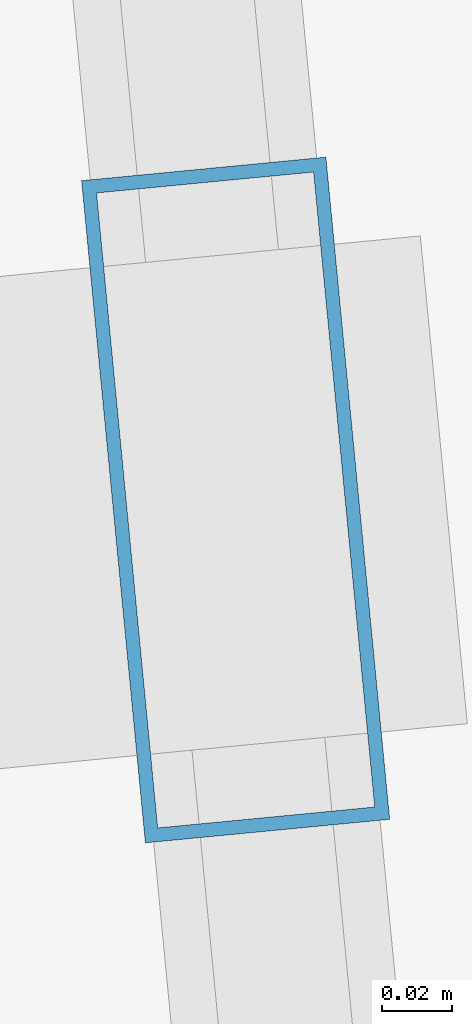
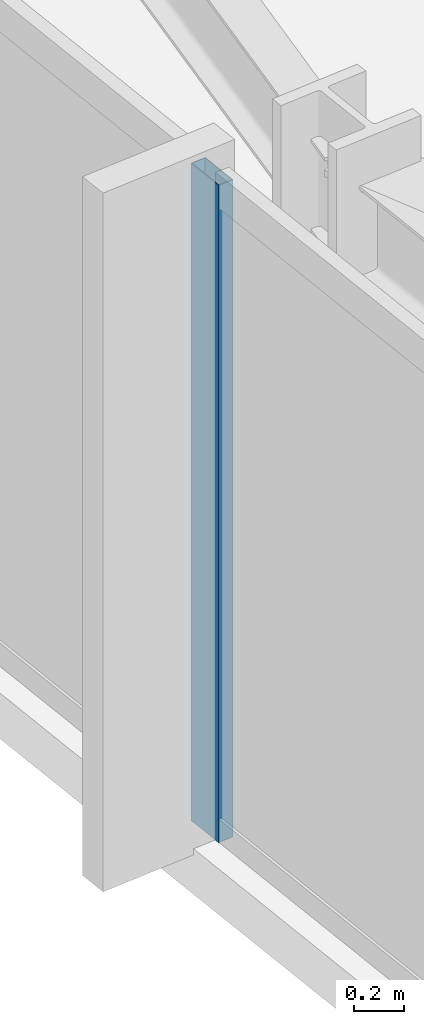
# One storey, part 8 of 32: 1 member, 1 element without a shape of its own.
"""IFC4 building model written with IfcOpenShell, lengths in metres."""

from ifc_helpers import new_model, si_unit, direction, frame, origin, origin_2d, place, context, subcontext, project, spatial, hollow_rectangle, extrude, material, material_profile, profile_set, type_object, element, aggregate, save


model = new_model("IFC4")

# Units and contexts
model_context = context("Model", 3, precision=1e-05, world=origin(), true_north=direction((0.0, 1.0)))
body_context = subcontext(model_context, "Body", "Model", "MODEL_VIEW")
ifc_project = project(units=[si_unit("LENGTHUNIT", "METRE"), si_unit("AREAUNIT", "SQUARE_METRE"), si_unit("VOLUMEUNIT", "CUBIC_METRE"), si_unit("PLANEANGLEUNIT", "RADIAN"), si_unit("MASSUNIT", "GRAM", prefix="KILO")], contexts=[model_context])

# Site, building, storey
site_placement = place(None, origin())
site = spatial("IfcSite", under=ifc_project, at=site_placement, CompositionType="ELEMENT")
building_placement = place(site_placement, origin())
building = spatial("IfcBuilding", under=site, at=building_placement, Name="Yelkora Congress Tower", CompositionType="ELEMENT")
storey_placement = place(building_placement, frame((0.0, 0.0, 103.300048828125)))
storey = spatial("IfcBuildingStorey", under=building, at=storey_placement, Name="L27", CompositionType="ELEMENT", Elevation=103.300048828125)

# Curtain wall, member
ifc_material_1 = material(Name="Anodised aluminium and insulated glass", Category="aluminium")
curtain_wall_type = type_object("IfcCurtainWallType", Name="CW-SYS-B2", PredefinedType="NOTDEFINED", material=ifc_material_1)
curtain_wall_placement = place(storey_placement, origin())
curtain_wall = element("IfcCurtainWall", 1, at=curtain_wall_placement, inside=storey, type_object=curtain_wall_type, Name="L27 Unitised Curtain Wall 5", PredefinedType="NOTDEFINED")
ifc_material_2 = material(Name="Anodised aluminium 6063-T6", Category="aluminium")
ifc_material_profile = material_profile(ifc_material_2, hollow_rectangle(XDim=0.070068359375, YDim=0.18994140625, WallThickness=0.00390625, at=origin_2d()), Name="ALU 70x190x4")
ifc_profile_set = profile_set([ifc_material_profile], Name="Anodised aluminium 6063-T6")
member_type = type_object("IfcMemberType", Name="MEM-ML-B2", PredefinedType="MULLION", material=ifc_profile_set)
member_placement = place(storey_placement, frame((14.47021484375, 35.0341796875, 0.0), z_axis=(0.0, 0.0, 1.0), x_axis=(-0.995396507508, -0.095842541913, 0.0)))
member = element("IfcMember", 2, at=member_placement, type_object=member_type, Name="CW-B2 mullion 4", PredefinedType="MULLION", context=body_context, shape_type="SweptSolid", body=[
    extrude(hollow_rectangle(XDim=0.070068359375, YDim=0.18994140625, WallThickness=0.00390625, at=origin_2d()), origin(), (0.0, 0.0, 1.0), 3.179931640625),
])
aggregate(curtain_wall, [member])

save(model, "model.ifc")
